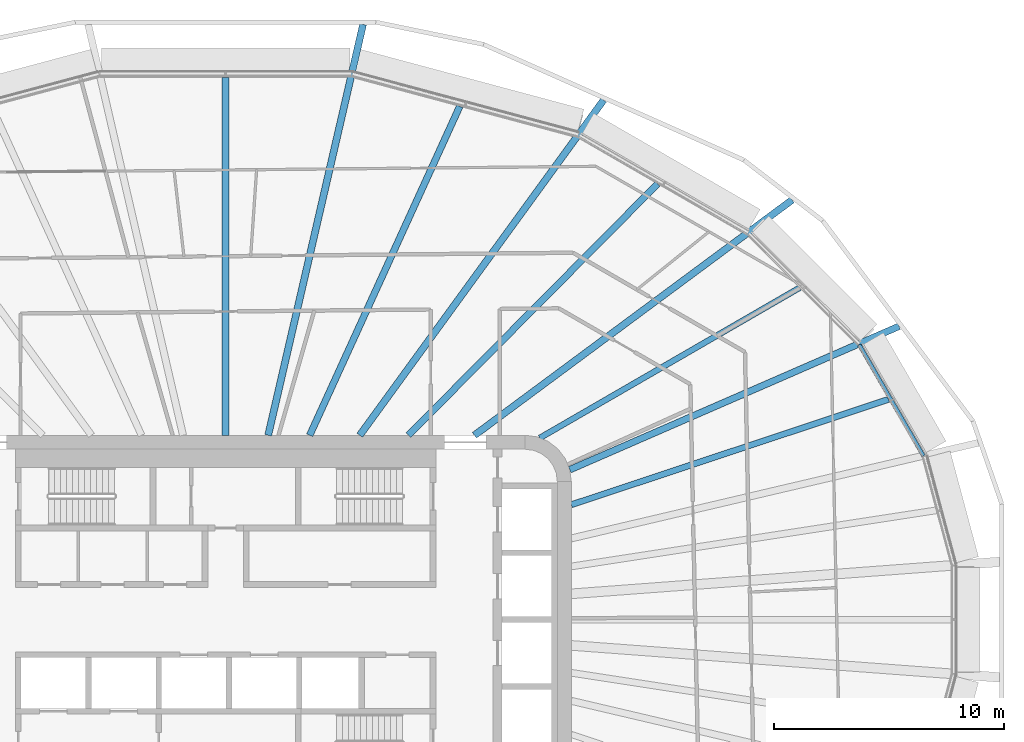
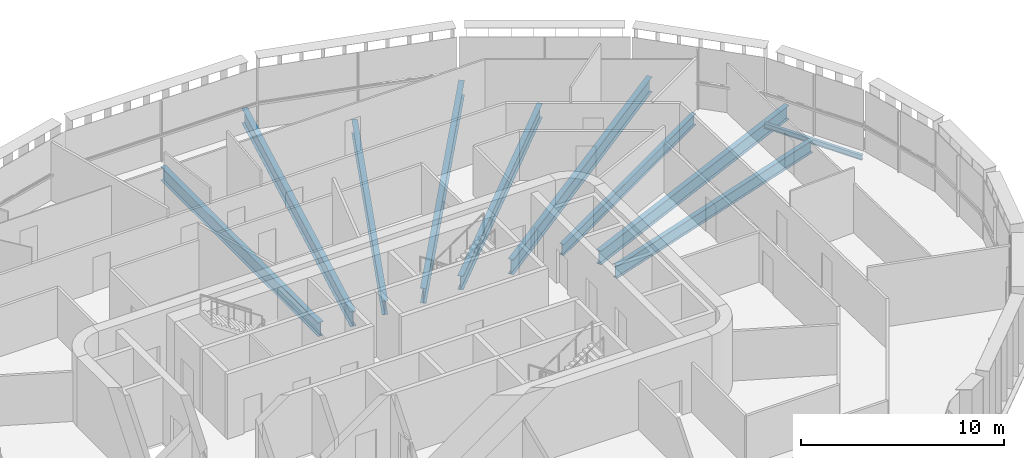
# One storey, part 9 of 26: 10 beams.
"""IFC4 building model written with IfcOpenShell, lengths in metres."""

import ifcopenshell
import ifcopenshell.guid

model = None  # the IFC model being written
_history = None  # IfcOwnerHistory: only IFC2X3 demands one
_inside = {}  # id of a spatial element -> (the spatial element, [elements in it])
_under = {}  # id of a project, library or spatial element -> (it, [spatial elements below it])
_declared = {}  # id of a project -> (the project, [libraries it declares])
_typed = {}  # id of a type object -> (the type object, [elements of that type])
_made_of = {}  # id of a material, layer set ... -> (it, [elements and type objects made of it])


def new_model(schema):
    """Start an empty IFC model of exactly this schema.

    Asked for "IFC4X3", IfcOpenShell would pick the latest addendum, in which some entities
    have other attributes; the version numbers below select the first issue.
    IFC2X3 requires an IfcOwnerHistory on every rooted entity: one is made here for all.
    """
    global model, _history
    if schema == "IFC4X3":
        model = ifcopenshell.file(schema_version=(4, 3, 0, 0))
    else:
        model = ifcopenshell.file(schema=schema)
    _inside.clear()
    _under.clear()
    _declared.clear()
    _typed.clear()
    _made_of.clear()
    _history = None
    if model.schema == "IFC2X3":
        org = make("IfcOrganization", Name="unknown")
        user = make(
            "IfcPersonAndOrganization",
            ThePerson=make("IfcPerson", FamilyName="unknown"),
            TheOrganization=org,
        )
        app = make(
            "IfcApplication",
            ApplicationDeveloper=org,
            Version="unknown",
            ApplicationFullName="unknown",
            ApplicationIdentifier="unknown",
        )
        _history = make(
            "IfcOwnerHistory",
            OwningUser=user,
            OwningApplication=app,
            ChangeAction="ADDED",
            CreationDate=0,
        )
    return model


def make(cls, **values):
    """One entity of the class cls with the attributes given. An attribute that is None is left unset."""
    return model.create_entity(
        cls, **{name: value for name, value in values.items() if value is not None}
    )


def rooted(cls, **values):
    """An entity with a GlobalId (a new one), such as an element, a storey or a relation."""
    return make(cls, GlobalId=ifcopenshell.guid.new(), OwnerHistory=_history, **values)


def si_unit(unit_type, name, prefix=None):
    """IfcSIUnit, for example si_unit("LENGTHUNIT", "METRE", prefix="MILLI")."""
    return make("IfcSIUnit", UnitType=unit_type, Prefix=prefix, Name=name)


def assignment(units):
    """IfcUnitAssignment: the units of a project."""
    return None if units is None else make("IfcUnitAssignment", Units=units)


def point(xyz):
    """IfcCartesianPoint."""
    return None if xyz is None else make("IfcCartesianPoint", Coordinates=xyz)


def direction(xyz):
    """IfcDirection."""
    return None if xyz is None else make("IfcDirection", DirectionRatios=xyz)


def frame(location, z_axis=None, x_axis=None):
    """IfcAxis2Placement3D, a coordinate frame: its origin and axes. An axis left out is left unset."""
    return make(
        "IfcAxis2Placement3D",
        Location=point(location),
        Axis=direction(z_axis),
        RefDirection=direction(x_axis),
    )


def frame_2d(location, x_axis=None):
    """IfcAxis2Placement2D, a coordinate frame in the plane: its origin and x axis."""
    return make(
        "IfcAxis2Placement2D", Location=point(location), RefDirection=direction(x_axis)
    )


def origin():
    """The frame at (0, 0, 0) with its axes left unset."""
    return frame((0.0, 0.0, 0.0))


def origin_2d():
    """The frame at (0, 0) in the plane with its x axis left unset."""
    return frame_2d((0.0, 0.0))


def place(relative_to, where):
    """IfcLocalPlacement: puts the frame where relative to a parent placement (None: the world)."""
    return make(
        "IfcLocalPlacement", PlacementRelTo=relative_to, RelativePlacement=where
    )


def context(
    kind, dimensions, precision=None, world=None, true_north=None, identifier=None
):
    """IfcGeometricRepresentationContext, for example the 3D "Model" context."""
    return make(
        "IfcGeometricRepresentationContext",
        ContextIdentifier=identifier,
        ContextType=kind,
        CoordinateSpaceDimension=dimensions,
        Precision=precision,
        WorldCoordinateSystem=world,
        TrueNorth=true_north,
    )


def subcontext(parent, identifier, kind, view, scale=None):
    """IfcGeometricRepresentationSubContext, for example "Body" below "Model"."""
    return make(
        "IfcGeometricRepresentationSubContext",
        ContextIdentifier=identifier,
        ContextType=kind,
        ParentContext=parent,
        TargetScale=scale,
        TargetView=view,
    )


def project(units=None, contexts=None):
    """IfcProject with its units and contexts."""
    return rooted(
        "IfcProject",
        Name="project",
        RepresentationContexts=contexts,
        UnitsInContext=assignment(units),
    )


def spatial(cls, under=None, at=None, **own):
    """A site, building, storey or space (cls), placed at a placement, below another one or the project."""
    s = rooted(cls, ObjectPlacement=at, **own)
    if under is not None:
        _under.setdefault(under.id(), (under, []))[1].append(s)
    return s


def profile(cls, at=None, kind="AREA", **sizes):
    """A parametric profile (cls). Its sizes go by their IFC names, for example OverallWidth=200.0."""
    return make(cls, ProfileType=kind, Position=at, **sizes)


def i_section(**sizes):
    """IfcIShapeProfileDef."""
    return profile("IfcIShapeProfileDef", **sizes)


def extrude(swept, where, along, depth):
    """IfcExtrudedAreaSolid: the profile swept, set in the frame where, extruded along a direction by depth."""
    return make(
        "IfcExtrudedAreaSolid",
        SweptArea=swept,
        Position=where,
        ExtrudedDirection=direction(along),
        Depth=depth,
    )


def shape(context_of_items, identifier, shape_type, items):
    """IfcShapeRepresentation: the items that make up one representation, for example the "Body"."""
    return make(
        "IfcShapeRepresentation",
        ContextOfItems=context_of_items,
        RepresentationIdentifier=identifier,
        RepresentationType=shape_type,
        Items=items,
    )


def material(Name=None, Category=None):
    """IfcMaterial."""
    return make("IfcMaterial", Name=Name, Category=Category)


def material_profile(
    of_material, cross_section, Name=None, Category=None, Priority=None
):
    """IfcMaterialProfile: a cross section and its material."""
    return make(
        "IfcMaterialProfile",
        Name=Name,
        Material=of_material,
        Profile=cross_section,
        Priority=Priority,
        Category=Category,
    )


def profile_set(profiles, Name=None, composite=None):
    """IfcMaterialProfileSet."""
    return make(
        "IfcMaterialProfileSet",
        Name=Name,
        MaterialProfiles=profiles,
        CompositeProfile=composite,
    )


def made_of(thing, what):
    """Note that an element or type object is made of a material, layer set ...; save() writes the relation."""
    if what is not None:
        _made_of.setdefault(what.id(), (what, []))[1].append(thing)
    return thing


def type_object(cls, material=None, **own):
    """A type object (cls), such as IfcWallType, which elements share."""
    return made_of(rooted(cls, **own), material)


def element(
    cls,
    number,
    at=None,
    inside=None,
    cuts=None,
    type_object=None,
    material=None,
    context=None,
    identifier="Body",
    shape_type=None,
    held_by="IfcProductDefinitionShape",
    body=None,
    shapes=None,
    **own,
):
    """One element of the class cls, such as IfcWall. Its Tag is "e" and its number.

    at: its placement. inside: the storey or other place that contains it. cuts: it is an
    opening in that element (IfcRelVoidsElement). A single representation is given by context,
    identifier, shape_type and body (its items); several are given by shapes. held_by: the class
    of the entity that holds the representations. save() writes the other relations.
    """
    e = rooted(cls, Tag="e%d" % number, ObjectPlacement=at, **own)
    if body is not None:
        shapes = [shape(context, identifier, shape_type, body)]
    if shapes is not None:
        e.Representation = make(held_by, Representations=shapes)
    if inside is not None:
        _inside.setdefault(inside.id(), (inside, []))[1].append(e)
    if cuts is not None:
        rooted(
            "IfcRelVoidsElement", RelatingBuildingElement=cuts, RelatedOpeningElement=e
        )
    if type_object is not None:
        _typed.setdefault(type_object.id(), (type_object, []))[1].append(e)
    return made_of(e, material)


def aggregate(whole, parts):
    """IfcRelAggregates: a whole, such as a stair, and the parts it consists of."""
    return rooted("IfcRelAggregates", RelatingObject=whole, RelatedObjects=parts)


def save(model, path):
    """Write the relations noted so far, then the file.

    IfcRelAggregates (storeys below a building ...), IfcRelContainedInSpatialStructure (elements
    in a storey), IfcRelDefinesByType, IfcRelAssociatesMaterial and IfcRelDeclares: one each for
    every whole, place, type object, material and project.
    """
    for whole, parts in _under.values():
        aggregate(whole, parts)
    for where, things in _inside.values():
        rooted(
            "IfcRelContainedInSpatialStructure",
            RelatedElements=things,
            RelatingStructure=where,
        )
    for kind, things in _typed.values():
        rooted("IfcRelDefinesByType", RelatedObjects=things, RelatingType=kind)
    for what, things in _made_of.values():
        rooted("IfcRelAssociatesMaterial", RelatedObjects=things, RelatingMaterial=what)
    for by, libraries in _declared.values():
        rooted("IfcRelDeclares", RelatingContext=by, RelatedDefinitions=libraries)
    model.write(path)


model = new_model("IFC4")

# Units and contexts
model_context = context("Model", 3, precision=1e-05, world=origin(), true_north=direction((0.0, 1.0)))
body_context = subcontext(model_context, "Body", "Model", "MODEL_VIEW")
ifc_project = project(units=[si_unit("LENGTHUNIT", "METRE"), si_unit("AREAUNIT", "SQUARE_METRE"), si_unit("VOLUMEUNIT", "CUBIC_METRE"), si_unit("PLANEANGLEUNIT", "RADIAN"), si_unit("MASSUNIT", "GRAM", prefix="KILO")], contexts=[model_context])

# Site, building, storey
site_placement = place(None, origin())
site = spatial("IfcSite", under=ifc_project, at=site_placement, CompositionType="ELEMENT")
building_placement = place(site_placement, origin())
building = spatial("IfcBuilding", under=site, at=building_placement, Name="Sahrelin Media Tower", CompositionType="ELEMENT")
storey_placement = place(building_placement, frame((0.0, 0.0, 92.39990234375)))
storey = spatial("IfcBuildingStorey", under=building, at=storey_placement, Name="L17", CompositionType="ELEMENT", Elevation=92.39990234375)

# Beams
ifc_material = material(Name="Steel S355", Category="steel")
ifc_material_profile_1 = material_profile(ifc_material, i_section(OverallWidth=0.1650390625, OverallDepth=0.303466796875, WebThickness=0.006103515625, FlangeThickness=0.01025390625, FilletRadius=0.0087890625, at=origin_2d()), Name="UB 305x165x40")
ifc_profile_set_1 = profile_set([ifc_material_profile_1], Name="Steel S355")
beam_type_1 = type_object("IfcBeamType", Name="Edge beam EB2", PredefinedType="BEAM", material=ifc_profile_set_1)
beam_1_placement = place(storey_placement, frame((27.500244140625, 11.923095703125, -0.301513671875), z_axis=(0.499998387408, -0.866026334813, 0.0), x_axis=(0.866026334813, 0.499998387408, 0.0)))
element("IfcBeam", 1, at=beam_1_placement, inside=storey, type_object=beam_type_1, Name="Edge beam L17-23", PredefinedType="BEAM", context=body_context, shape_type="SweptSolid", body=[
    extrude(i_section(OverallWidth=0.1650390625, OverallDepth=0.303466796875, WebThickness=0.006103515625, FlangeThickness=0.01025390625, FilletRadius=0.0087890625, at=origin_2d()), origin(), (0.0, 0.0, 1.0), 5.5654296875),
])
ifc_material_profile_2 = material_profile(ifc_material, i_section(OverallWidth=0.291748046875, OverallDepth=0.8349609375, WebThickness=0.013916015625, FlangeThickness=0.018798828125, FilletRadius=0.017822265625, at=origin_2d()), Name="UB 838x292x176")
ifc_profile_set_2 = profile_set([ifc_material_profile_2], Name="Steel S355")
beam_type_2 = type_object("IfcBeamType", Name="Radial primary beam PB10", PredefinedType="BEAM", material=ifc_profile_set_2)
beam_2_placement = place(storey_placement, frame((14.93359375, 6.5048828125, -0.5673828125), z_axis=(0.916801692718, 0.399342780366, 0.0), x_axis=(-0.399342780366, 0.916801692718, 0.0)))
element("IfcBeam", 2, at=beam_2_placement, inside=storey, type_object=beam_type_2, Name="Radial beam L17-03", PredefinedType="BEAM", context=body_context, shape_type="SweptSolid", body=[
    extrude(i_section(OverallWidth=0.291748046875, OverallDepth=0.8349609375, WebThickness=0.013916015625, FlangeThickness=0.018798828125, FilletRadius=0.017822265625, at=origin_2d()), origin(), (0.0, 0.0, 1.0), 15.5888671875),
])
ifc_material_profile_3 = material_profile(ifc_material, i_section(OverallWidth=0.30322265625, OverallDepth=0.903076171875, WebThickness=0.01513671875, FlangeThickness=0.020263671875, FilletRadius=0.01904296875, at=origin_2d()), Name="UB 914x305x201")
ifc_profile_set_3 = profile_set([ifc_material_profile_3], Name="Steel S355")
beam_type_3 = type_object("IfcBeamType", Name="Radial primary beam PB11", PredefinedType="BEAM", material=ifc_profile_set_3)
beam_3_placement = place(storey_placement, frame((10.798828125, 8.0, -0.601318359375), z_axis=(0.803531476901, 0.595262266257, 0.0), x_axis=(-0.595262266257, 0.803531476901, 0.0)))
element("IfcBeam", 3, at=beam_3_placement, inside=storey, type_object=beam_type_3, Name="Radial beam L17-04", PredefinedType="BEAM", context=body_context, shape_type="SweptSolid", body=[
    extrude(i_section(OverallWidth=0.30322265625, OverallDepth=0.903076171875, WebThickness=0.01513671875, FlangeThickness=0.020263671875, FilletRadius=0.01904296875, at=origin_2d()), origin(), (0.0, 0.0, 1.0), 17.154541015625),
])
beam_4_placement = place(storey_placement, frame((5.8203125, 8.0, -0.601318359375), z_axis=(0.588301637605, 0.808641566574, 0.0), x_axis=(-0.808641566574, 0.588301637605, 0.0)))
element("IfcBeam", 4, at=beam_4_placement, inside=storey, type_object=beam_type_3, Name="Radial beam L17-05", PredefinedType="BEAM", context=body_context, shape_type="SweptSolid", body=[
    extrude(i_section(OverallWidth=0.30322265625, OverallDepth=0.903076171875, WebThickness=0.01513671875, FlangeThickness=0.020263671875, FilletRadius=0.01904296875, at=origin_2d()), origin(), (0.0, 0.0, 1.0), 17.9853515625),
])
beam_5_placement = place(storey_placement, frame((1.847900390625, 8.0, -0.601318359375), z_axis=(0.225039759271, 0.974349581386, 0.0), x_axis=(-0.974349581386, 0.225039759271, 0.0)))
element("IfcBeam", 5, at=beam_5_placement, inside=storey, type_object=beam_type_3, Name="Radial beam L17-06", PredefinedType="BEAM", context=body_context, shape_type="SweptSolid", body=[
    extrude(i_section(OverallWidth=0.30322265625, OverallDepth=0.903076171875, WebThickness=0.01513671875, FlangeThickness=0.020263671875, FilletRadius=0.01904296875, at=origin_2d()), origin(), (0.0, 0.0, 1.0), 18.2998046875),
])
ifc_material_profile_4 = material_profile(ifc_material, i_section(OverallWidth=0.291748046875, OverallDepth=0.8349609375, WebThickness=0.013916015625, FlangeThickness=0.018798828125, FilletRadius=0.017822265625, at=origin_2d()), Name="UB 838x292x176")
ifc_profile_set_4 = profile_set([ifc_material_profile_4], Name="Steel S355")
beam_type_4 = type_object("IfcBeamType", Name="Radial secondary beam SB10", PredefinedType="BEAM", material=ifc_profile_set_4)
beam_6_placement = place(storey_placement, frame((7.93115234375, 8.0, -0.5673828125), z_axis=(0.704056941584, 0.710143522823, 0.0), x_axis=(-0.710143522823, 0.704056941584, 0.0)))
element("IfcBeam", 6, at=beam_6_placement, inside=storey, type_object=beam_type_4, Name="Secondary beam L17-04", PredefinedType="BEAM", context=body_context, shape_type="SweptSolid", body=[
    extrude(i_section(OverallWidth=0.291748046875, OverallDepth=0.8349609375, WebThickness=0.013916015625, FlangeThickness=0.018798828125, FilletRadius=0.017822265625, at=origin_2d()), origin(), (0.0, 0.0, 1.0), 15.362548828125),
])
beam_7_placement = place(storey_placement, frame((3.6494140625, 8.0, -0.5673828125), z_axis=(0.415038402282, 0.909803893502, 0.0), x_axis=(-0.909803893502, 0.415038402282, 0.0)))
element("IfcBeam", 7, at=beam_7_placement, inside=storey, type_object=beam_type_4, Name="Secondary beam L17-05", PredefinedType="BEAM", context=body_context, shape_type="SweptSolid", body=[
    extrude(i_section(OverallWidth=0.291748046875, OverallDepth=0.8349609375, WebThickness=0.013916015625, FlangeThickness=0.018798828125, FilletRadius=0.017822265625, at=origin_2d()), origin(), (0.0, 0.0, 1.0), 15.687744140625),
])
beam_8_placement = place(storey_placement, frame((0.0, 8.0, -0.5673828125), z_axis=(0.0, 1.0, 0.0), x_axis=(-1.0, 0.0, 0.0)))
element("IfcBeam", 8, at=beam_8_placement, inside=storey, type_object=beam_type_4, Name="Secondary beam L17-06", PredefinedType="BEAM", context=body_context, shape_type="SweptSolid", body=[
    extrude(i_section(OverallWidth=0.291748046875, OverallDepth=0.8349609375, WebThickness=0.013916015625, FlangeThickness=0.018798828125, FilletRadius=0.017822265625, at=origin_2d()), origin(), (0.0, 0.0, 1.0), 15.5224609375),
])
ifc_material_profile_5 = material_profile(ifc_material, i_section(OverallWidth=0.2529296875, OverallDepth=0.677978515625, WebThickness=0.01171875, FlangeThickness=0.01611328125, FilletRadius=0.01513671875, at=origin_2d()), Name="UB 686x254x125")
ifc_profile_set_5 = profile_set([ifc_material_profile_5], Name="Steel S355")
beam_type_5 = type_object("IfcBeamType", Name="Radial secondary beam SB8", PredefinedType="BEAM", material=ifc_profile_set_5)
beam_9_placement = place(storey_placement, frame((13.63525390625, 7.88330078125, -0.48876953125), z_axis=(0.865726960109, 0.500516563703, 0.0), x_axis=(-0.500516563703, 0.865726960109, 0.0)))
element("IfcBeam", 9, at=beam_9_placement, inside=storey, type_object=beam_type_5, Name="Secondary beam L17-03", PredefinedType="BEAM", context=body_context, shape_type="SweptSolid", body=[
    extrude(i_section(OverallWidth=0.2529296875, OverallDepth=0.677978515625, WebThickness=0.01171875, FlangeThickness=0.01611328125, FilletRadius=0.01513671875, at=origin_2d()), origin(), (0.0, 0.0, 1.0), 13.020263671875),
])
ifc_material_profile_6 = material_profile(ifc_material, i_section(OverallWidth=0.26513671875, OverallDepth=0.75390625, WebThickness=0.0126953125, FlangeThickness=0.017578125, FilletRadius=0.0166015625, at=origin_2d()), Name="UB 762x267x147")
ifc_profile_set_6 = profile_set([ifc_material_profile_6], Name="Steel S355")
beam_type_6 = type_object("IfcBeamType", Name="Radial secondary beam SB9", PredefinedType="BEAM", material=ifc_profile_set_6)
beam_10_placement = place(storey_placement, frame((15.0, 4.983642578125, -0.52685546875), z_axis=(0.948994110949, 0.315293795346, 0.0), x_axis=(-0.315293795346, 0.948994110949, 0.0)))
element("IfcBeam", 10, at=beam_10_placement, inside=storey, type_object=beam_type_6, Name="Secondary beam L17-02", PredefinedType="BEAM", context=body_context, shape_type="SweptSolid", body=[
    extrude(i_section(OverallWidth=0.26513671875, OverallDepth=0.75390625, WebThickness=0.0126953125, FlangeThickness=0.017578125, FilletRadius=0.0166015625, at=origin_2d()), origin(), (0.0, 0.0, 1.0), 14.510009765625),
])

save(model, "model.ifc")
